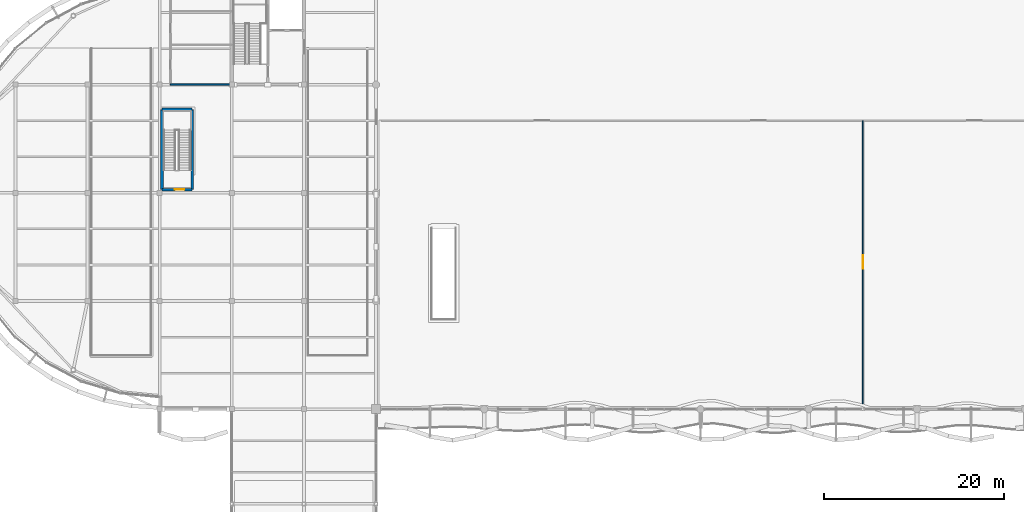
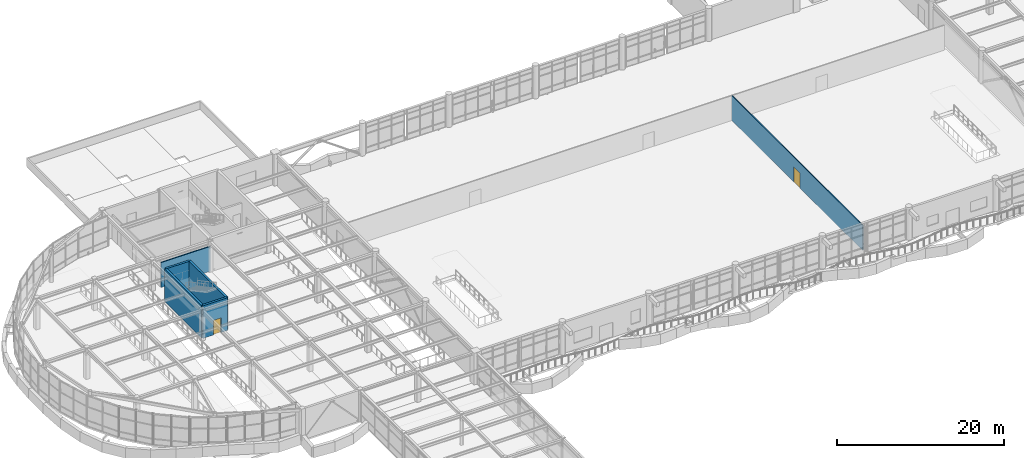
# One storey, part 49 of 72: 6 walls, 2 doors, 2 openings.
"""IFC4 building model written with IfcOpenShell, lengths in metres."""

from ifc_helpers import new_model, si_unit, direction, frame, frame_2d, origin, place, context, subcontext, project, spatial, rectangle, extrude, material, layer, layer_set, type_object, element, fill, save


model = new_model("IFC4")

# Units and contexts
model_context = context("Model", 3, precision=1e-05, world=origin(), true_north=direction((0.0, 1.0)))
body_context = subcontext(model_context, "Body", "Model", "MODEL_VIEW")
ifc_project = project(units=[si_unit("LENGTHUNIT", "METRE"), si_unit("AREAUNIT", "SQUARE_METRE"), si_unit("VOLUMEUNIT", "CUBIC_METRE"), si_unit("PLANEANGLEUNIT", "RADIAN"), si_unit("MASSUNIT", "GRAM", prefix="KILO")], contexts=[model_context])

# Site, building, storey
site_placement = place(None, origin())
site = spatial("IfcSite", under=ifc_project, at=site_placement, CompositionType="ELEMENT")
building_placement = place(site_placement, origin())
building = spatial("IfcBuilding", under=site, at=building_placement, Name="Keelwater Ferry Terminal", CompositionType="ELEMENT")
storey_placement = place(building_placement, frame((0.0, 0.0, 5.39990234375)))
storey = spatial("IfcBuildingStorey", under=building, at=storey_placement, Name="L01", CompositionType="ELEMENT", Elevation=5.39990234375)

# Wall, opening, door
ifc_material_1 = material(Name="Gypsum board on acoustic steel stud", Category="steel")
ifc_layer_1 = layer(ifc_material_1, 0.125)
ifc_layer_set_1 = layer_set([ifc_layer_1], Name="Gypsum board on acoustic steel stud")
wall_type_1 = type_object("IfcWallType", Name="PT-125 Partition Wall 125", PredefinedType="PARTITIONING", material=ifc_layer_set_1)
wall_1_placement = place(storey_placement, frame((102.0, 42.60009765625, 0.0), z_axis=(0.0, 0.0, 1.0), x_axis=(0.0, 1.0, 0.0)))
wall_1 = element("IfcWall", 1, at=wall_1_placement, inside=storey, type_object=wall_type_1, Name="Interior Wall WL-INT-L01-0244", PredefinedType="PARTITIONING", context=body_context, shape_type="SweptSolid", body=[
    extrude(rectangle(XDim=31.39990234375, YDim=0.125, at=frame_2d((15.699951171875, 0.0))), origin(), (0.0, 0.0, 1.0), 3.650146484375),
])
opening_1_placement = place(wall_1_placement, frame((15.0, 0.0, 0.0)))
opening_1 = element("IfcOpeningElement", 2, at=opening_1_placement, cuts=wall_1, Name="Opening DR-022", PredefinedType="OPENING", context=body_context, shape_type="SweptSolid", body=[
    extrude(rectangle(XDim=1.5, YDim=2.199951171875, at=frame_2d((0.75, 1.10009765625))), frame((0.0, 0.072509765625, 0.0), z_axis=(0.0, -1.0, 0.0), x_axis=(1.0, 0.0, 0.0)), (0.0, 0.0, 1.0), 0.14501953125),
])
ifc_material_2 = material(Name="Acoustic oak and fire-rated steel frame door", Category="steel")
door_type_1 = type_object("IfcDoorType", Name="ID-02 Pedestrian Door 1500x2200", OperationType="DOUBLE_DOOR_SINGLE_SWING", PredefinedType="DOOR", material=ifc_material_2)
door_1_placement = place(opening_1_placement, origin())
door_1 = element("IfcDoor", 3, at=door_1_placement, inside=storey, type_object=door_type_1, Name="Door DR-022", OperationType="DOUBLE_DOOR_SINGLE_SWING", OverallHeight=2.199951171875, OverallWidth=1.5, PredefinedType="DOOR", context=body_context, shape_type="SweptSolid", body=[
    extrude(rectangle(XDim=1.5, YDim=2.199951171875, at=frame_2d((0.75, 1.10009765625))), frame((0.0, 0.02490234375, 0.0), z_axis=(0.0, -1.0, 0.0), x_axis=(1.0, 0.0, 0.0)), (0.0, 0.0, 1.0), 0.050048828125),
])
fill(opening_1, door_1)

# Wall
ifc_material_3 = material(Name="Gypsum board on acoustic steel stud", Category="steel")
ifc_layer_2 = layer(ifc_material_3, 0.14990234375)
ifc_layer_set_2 = layer_set([ifc_layer_2], Name="Gypsum board on acoustic steel stud")
wall_type_2 = type_object("IfcWallType", Name="PT-150 Partition Wall 150", PredefinedType="PARTITIONING", material=ifc_layer_set_2)
wall_2_placement = place(storey_placement, frame((25.199951171875, 78.0, 0.0), z_axis=(0.0, 0.0, 1.0), x_axis=(1.0, 0.0, 0.0)))
element("IfcWall", 4, at=wall_2_placement, inside=storey, type_object=wall_type_2, Name="Interior Wall WL-INT-L01-0157", PredefinedType="PARTITIONING", context=body_context, shape_type="SweptSolid", body=[
    extrude(rectangle(XDim=6.800048828125, YDim=0.14990234375, at=frame_2d((3.39990234375, 0.0))), origin(), (0.0, 0.0, 1.0), 3.650146484375),
])

# Wall, opening, door
ifc_material_4 = material(Name="Concrete C45/55", Category="concrete")
ifc_layer_3 = layer(ifc_material_4, 0.300048828125)
ifc_layer_set_3 = layer_set([ifc_layer_3], Name="Concrete C45/55")
wall_type_3 = type_object("IfcWallType", Name="SW-300 Shear Wall 300", PredefinedType="SHEAR", material=ifc_layer_set_3)
wall_3_placement = place(storey_placement, frame((24.25, 66.35009765625, 0.0), z_axis=(0.0, 0.0, 1.0), x_axis=(1.0, 0.0, 0.0)))
wall_3 = element("IfcWall", 5, at=wall_3_placement, inside=storey, type_object=wall_type_3, Name="Interior Wall WL-INT-L01-0127", PredefinedType="SHEAR", context=body_context, shape_type="SweptSolid", body=[
    extrude(rectangle(XDim=3.35009765625, YDim=0.300048828125, at=frame_2d((1.675048828125, 0.0))), origin(), (0.0, 0.0, 1.0), 4.780029296875),
])
opening_2_placement = place(wall_3_placement, frame((1.449951171875, 0.0, 0.0)))
opening_2 = element("IfcOpeningElement", 6, at=opening_2_placement, cuts=wall_3, Name="Opening FD-040", PredefinedType="OPENING", context=body_context, shape_type="SweptSolid", body=[
    extrude(rectangle(XDim=1.050048828125, YDim=2.14990234375, at=frame_2d((0.52490234375, 1.074951171875))), frame((0.0, 0.159912109375, 0.0), z_axis=(0.0, -1.0, 0.0), x_axis=(1.0, 0.0, 0.0)), (0.0, 0.0, 1.0), 0.320068359375),
])
ifc_material_5 = material(Name="Acoustic oak and fire-rated steel frame door", Category="steel")
door_type_2 = type_object("IfcDoorType", Name="ID-06 Pedestrian Door 1050x2150", OperationType="NOTDEFINED", PredefinedType="DOOR", material=ifc_material_5)
door_2_placement = place(opening_2_placement, origin())
door_2 = element("IfcDoor", 7, at=door_2_placement, inside=storey, type_object=door_type_2, Name="Door FD-040", OperationType="SINGLE_SWING_LEFT", OverallHeight=2.14990234375, OverallWidth=1.050048828125, PredefinedType="DOOR", context=body_context, shape_type="SweptSolid", body=[
    extrude(rectangle(XDim=1.050048828125, YDim=2.14990234375, at=frame_2d((0.52490234375, 1.074951171875))), frame((0.0, 0.02490234375, 0.0), z_axis=(0.0, -1.0, 0.0), x_axis=(1.0, 0.0, 0.0)), (0.0, 0.0, 1.0), 0.050048828125),
])
fill(opening_2, door_2)

# Walls
wall_4_placement = place(storey_placement, frame((24.25, 75.25, 0.0), z_axis=(0.0, 0.0, 1.0), x_axis=(1.0, 0.0, 0.0)))
element("IfcWall", 8, at=wall_4_placement, inside=storey, type_object=wall_type_3, Name="Interior Wall WL-INT-L01-0128", PredefinedType="SHEAR", context=body_context, shape_type="SweptSolid", body=[
    extrude(rectangle(XDim=3.35009765625, YDim=0.300048828125, at=frame_2d((1.675048828125, 0.0))), origin(), (0.0, 0.0, 1.0), 4.780029296875),
])
for number, where, z_axis, x_axis, name in (
    (9, (24.25, 66.35009765625, 0.0), (0.0, 0.0, 1.0), (0.0, 1.0, 0.0), "Interior Wall WL-INT-L01-0129"),
    (10, (27.60009765625, 66.35009765625, 0.0), (0.0, 0.0, 1.0), (0.0, 1.0, 0.0), "Interior Wall WL-INT-L01-0130"),
):
    element("IfcWall", number, at=place(storey_placement, frame(where, z_axis=z_axis, x_axis=x_axis)), inside=storey, type_object=wall_type_3, Name=name, PredefinedType="SHEAR", context=body_context, shape_type="SweptSolid", body=[
        extrude(rectangle(XDim=8.89990234375, YDim=0.300048828125, at=frame_2d((4.449951171875, 0.0))), origin(), (0.0, 0.0, 1.0), 4.780029296875),
    ])

save(model, "model.ifc")
